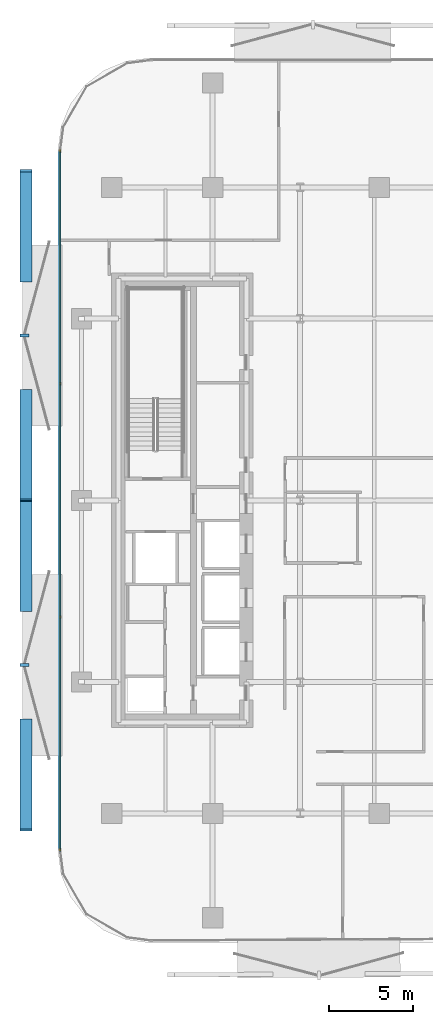
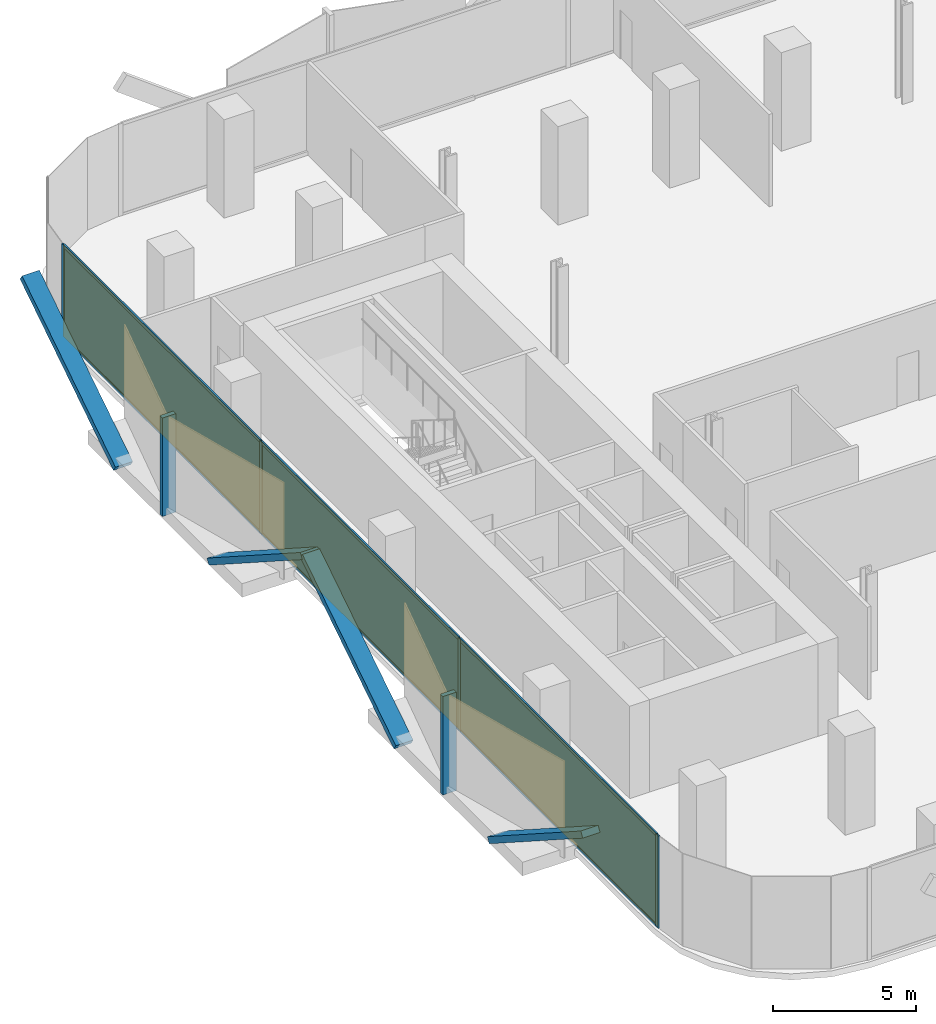
# One storey, part 8 of 15: 16 members, 3 plates, 1 curtain wall.
"""IFC4 building model written with IfcOpenShell, lengths in metres."""

import ifcopenshell
import ifcopenshell.guid

model = None  # the IFC model being written
_history = None  # IfcOwnerHistory: only IFC2X3 demands one
_inside = {}  # id of a spatial element -> (the spatial element, [elements in it])
_under = {}  # id of a project, library or spatial element -> (it, [spatial elements below it])
_declared = {}  # id of a project -> (the project, [libraries it declares])
_typed = {}  # id of a type object -> (the type object, [elements of that type])
_made_of = {}  # id of a material, layer set ... -> (it, [elements and type objects made of it])


def new_model(schema):
    """Start an empty IFC model of exactly this schema.

    Asked for "IFC4X3", IfcOpenShell would pick the latest addendum, in which some entities
    have other attributes; the version numbers below select the first issue.
    IFC2X3 requires an IfcOwnerHistory on every rooted entity: one is made here for all.
    """
    global model, _history
    if schema == "IFC4X3":
        model = ifcopenshell.file(schema_version=(4, 3, 0, 0))
    else:
        model = ifcopenshell.file(schema=schema)
    _inside.clear()
    _under.clear()
    _declared.clear()
    _typed.clear()
    _made_of.clear()
    _history = None
    if model.schema == "IFC2X3":
        org = make("IfcOrganization", Name="unknown")
        user = make(
            "IfcPersonAndOrganization",
            ThePerson=make("IfcPerson", FamilyName="unknown"),
            TheOrganization=org,
        )
        app = make(
            "IfcApplication",
            ApplicationDeveloper=org,
            Version="unknown",
            ApplicationFullName="unknown",
            ApplicationIdentifier="unknown",
        )
        _history = make(
            "IfcOwnerHistory",
            OwningUser=user,
            OwningApplication=app,
            ChangeAction="ADDED",
            CreationDate=0,
        )
    return model


def make(cls, **values):
    """One entity of the class cls with the attributes given. An attribute that is None is left unset."""
    return model.create_entity(
        cls, **{name: value for name, value in values.items() if value is not None}
    )


def rooted(cls, **values):
    """An entity with a GlobalId (a new one), such as an element, a storey or a relation."""
    return make(cls, GlobalId=ifcopenshell.guid.new(), OwnerHistory=_history, **values)


def si_unit(unit_type, name, prefix=None):
    """IfcSIUnit, for example si_unit("LENGTHUNIT", "METRE", prefix="MILLI")."""
    return make("IfcSIUnit", UnitType=unit_type, Prefix=prefix, Name=name)


def assignment(units):
    """IfcUnitAssignment: the units of a project."""
    return None if units is None else make("IfcUnitAssignment", Units=units)


def point(xyz):
    """IfcCartesianPoint."""
    return None if xyz is None else make("IfcCartesianPoint", Coordinates=xyz)


def direction(xyz):
    """IfcDirection."""
    return None if xyz is None else make("IfcDirection", DirectionRatios=xyz)


def frame(location, z_axis=None, x_axis=None):
    """IfcAxis2Placement3D, a coordinate frame: its origin and axes. An axis left out is left unset."""
    return make(
        "IfcAxis2Placement3D",
        Location=point(location),
        Axis=direction(z_axis),
        RefDirection=direction(x_axis),
    )


def frame_2d(location, x_axis=None):
    """IfcAxis2Placement2D, a coordinate frame in the plane: its origin and x axis."""
    return make(
        "IfcAxis2Placement2D", Location=point(location), RefDirection=direction(x_axis)
    )


def origin():
    """The frame at (0, 0, 0) with its axes left unset."""
    return frame((0.0, 0.0, 0.0))


def origin_2d():
    """The frame at (0, 0) in the plane with its x axis left unset."""
    return frame_2d((0.0, 0.0))


def place(relative_to, where):
    """IfcLocalPlacement: puts the frame where relative to a parent placement (None: the world)."""
    return make(
        "IfcLocalPlacement", PlacementRelTo=relative_to, RelativePlacement=where
    )


def context(
    kind, dimensions, precision=None, world=None, true_north=None, identifier=None
):
    """IfcGeometricRepresentationContext, for example the 3D "Model" context."""
    return make(
        "IfcGeometricRepresentationContext",
        ContextIdentifier=identifier,
        ContextType=kind,
        CoordinateSpaceDimension=dimensions,
        Precision=precision,
        WorldCoordinateSystem=world,
        TrueNorth=true_north,
    )


def subcontext(parent, identifier, kind, view, scale=None):
    """IfcGeometricRepresentationSubContext, for example "Body" below "Model"."""
    return make(
        "IfcGeometricRepresentationSubContext",
        ContextIdentifier=identifier,
        ContextType=kind,
        ParentContext=parent,
        TargetScale=scale,
        TargetView=view,
    )


def project(units=None, contexts=None):
    """IfcProject with its units and contexts."""
    return rooted(
        "IfcProject",
        Name="project",
        RepresentationContexts=contexts,
        UnitsInContext=assignment(units),
    )


def spatial(cls, under=None, at=None, **own):
    """A site, building, storey or space (cls), placed at a placement, below another one or the project."""
    s = rooted(cls, ObjectPlacement=at, **own)
    if under is not None:
        _under.setdefault(under.id(), (under, []))[1].append(s)
    return s


def profile(cls, at=None, kind="AREA", **sizes):
    """A parametric profile (cls). Its sizes go by their IFC names, for example OverallWidth=200.0."""
    return make(cls, ProfileType=kind, Position=at, **sizes)


def rectangle(**sizes):
    """IfcRectangleProfileDef."""
    return profile("IfcRectangleProfileDef", **sizes)


def extrude(swept, where, along, depth):
    """IfcExtrudedAreaSolid: the profile swept, set in the frame where, extruded along a direction by depth."""
    return make(
        "IfcExtrudedAreaSolid",
        SweptArea=swept,
        Position=where,
        ExtrudedDirection=direction(along),
        Depth=depth,
    )


def shape(context_of_items, identifier, shape_type, items):
    """IfcShapeRepresentation: the items that make up one representation, for example the "Body"."""
    return make(
        "IfcShapeRepresentation",
        ContextOfItems=context_of_items,
        RepresentationIdentifier=identifier,
        RepresentationType=shape_type,
        Items=items,
    )


def material(Name=None, Category=None):
    """IfcMaterial."""
    return make("IfcMaterial", Name=Name, Category=Category)


def layer(
    of_material, thickness, ventilated=None, Name=None, Category=None, Priority=None
):
    """IfcMaterialLayer: one layer of a wall or slab, of a material (None: an air gap)."""
    return make(
        "IfcMaterialLayer",
        Material=of_material,
        LayerThickness=thickness,
        IsVentilated=ventilated,
        Name=Name,
        Category=Category,
        Priority=Priority,
    )


def layer_set(layers, Name=None):
    """IfcMaterialLayerSet."""
    return make("IfcMaterialLayerSet", MaterialLayers=layers, LayerSetName=Name)


def material_profile(
    of_material, cross_section, Name=None, Category=None, Priority=None
):
    """IfcMaterialProfile: a cross section and its material."""
    return make(
        "IfcMaterialProfile",
        Name=Name,
        Material=of_material,
        Profile=cross_section,
        Priority=Priority,
        Category=Category,
    )


def profile_set(profiles, Name=None, composite=None):
    """IfcMaterialProfileSet."""
    return make(
        "IfcMaterialProfileSet",
        Name=Name,
        MaterialProfiles=profiles,
        CompositeProfile=composite,
    )


def made_of(thing, what):
    """Note that an element or type object is made of a material, layer set ...; save() writes the relation."""
    if what is not None:
        _made_of.setdefault(what.id(), (what, []))[1].append(thing)
    return thing


def type_object(cls, material=None, **own):
    """A type object (cls), such as IfcWallType, which elements share."""
    return made_of(rooted(cls, **own), material)


def element(
    cls,
    number,
    at=None,
    inside=None,
    cuts=None,
    type_object=None,
    material=None,
    context=None,
    identifier="Body",
    shape_type=None,
    held_by="IfcProductDefinitionShape",
    body=None,
    shapes=None,
    **own,
):
    """One element of the class cls, such as IfcWall. Its Tag is "e" and its number.

    at: its placement. inside: the storey or other place that contains it. cuts: it is an
    opening in that element (IfcRelVoidsElement). A single representation is given by context,
    identifier, shape_type and body (its items); several are given by shapes. held_by: the class
    of the entity that holds the representations. save() writes the other relations.
    """
    e = rooted(cls, Tag="e%d" % number, ObjectPlacement=at, **own)
    if body is not None:
        shapes = [shape(context, identifier, shape_type, body)]
    if shapes is not None:
        e.Representation = make(held_by, Representations=shapes)
    if inside is not None:
        _inside.setdefault(inside.id(), (inside, []))[1].append(e)
    if cuts is not None:
        rooted(
            "IfcRelVoidsElement", RelatingBuildingElement=cuts, RelatedOpeningElement=e
        )
    if type_object is not None:
        _typed.setdefault(type_object.id(), (type_object, []))[1].append(e)
    return made_of(e, material)


def aggregate(whole, parts):
    """IfcRelAggregates: a whole, such as a stair, and the parts it consists of."""
    return rooted("IfcRelAggregates", RelatingObject=whole, RelatedObjects=parts)


def save(model, path):
    """Write the relations noted so far, then the file.

    IfcRelAggregates (storeys below a building ...), IfcRelContainedInSpatialStructure (elements
    in a storey), IfcRelDefinesByType, IfcRelAssociatesMaterial and IfcRelDeclares: one each for
    every whole, place, type object, material and project.
    """
    for whole, parts in _under.values():
        aggregate(whole, parts)
    for where, things in _inside.values():
        rooted(
            "IfcRelContainedInSpatialStructure",
            RelatedElements=things,
            RelatingStructure=where,
        )
    for kind, things in _typed.values():
        rooted("IfcRelDefinesByType", RelatedObjects=things, RelatingType=kind)
    for what, things in _made_of.values():
        rooted("IfcRelAssociatesMaterial", RelatedObjects=things, RelatingMaterial=what)
    for by, libraries in _declared.values():
        rooted("IfcRelDeclares", RelatingContext=by, RelatedDefinitions=libraries)
    model.write(path)


model = new_model("IFC4")

# Units and contexts
model_context = context("Model", 3, precision=1e-05, world=origin(), true_north=direction((0.0, 1.0)))
body_context = subcontext(model_context, "Body", "Model", "MODEL_VIEW")
ifc_project = project(units=[si_unit("LENGTHUNIT", "METRE"), si_unit("AREAUNIT", "SQUARE_METRE"), si_unit("VOLUMEUNIT", "CUBIC_METRE"), si_unit("PLANEANGLEUNIT", "RADIAN"), si_unit("MASSUNIT", "GRAM", prefix="KILO")], contexts=[model_context])

# Member
ifc_material_1 = material(Name="Anodised Bronze Aluminium 6063-T6", Category="aluminium")
ifc_material_profile_1 = material_profile(ifc_material_1, rectangle(XDim=0.260009765625, YDim=0.699951171875, at=origin_2d()))
ifc_profile_set_1 = profile_set([ifc_material_profile_1], Name="Anodised Bronze Aluminium 6063-T6")
member_type_1 = type_object("IfcMemberType", Name="Bronze Diamond Solar-Screen Lattice Rib BDL-700", PredefinedType="MULLION", material=ifc_profile_set_1)
site_placement = place(None, origin())
building_placement = place(site_placement, origin())
storey_placement = place(building_placement, frame((0.0, 0.0, 126.800048828125)))
member_1_placement = place(storey_placement, frame((-25.5, -6.5302734375, -0.130126953125), z_axis=(0.0, 0.841051770023, 0.540954637785), x_axis=(0.0, -0.540954637785, 0.841051770023)))
member_1 = element("IfcMember", 1, at=member_1_placement, type_object=member_type_1, Name="L29 Bronze Diamond Solar Screen Lattice Rib 179A", PredefinedType="MULLION", context=body_context, shape_type="SweptSolid", body=[
    extrude(rectangle(XDim=0.260009765625, YDim=0.699951171875, at=origin_2d()), origin(), (0.0, 0.0, 1.0), 7.764404296875),
])

member_2_placement = place(storey_placement, frame((-25.5, -13.060546875, -0.130126953125), z_axis=(0.0, -0.841051770023, 0.540954637785), x_axis=(0.0, 0.540954637785, 0.841051770023)))
member_2 = element("IfcMember", 2, at=member_2_placement, type_object=member_type_1, Name="L29 Bronze Diamond Solar Screen Lattice Rib 179B", PredefinedType="MULLION", context=body_context, shape_type="SweptSolid", body=[
    extrude(rectangle(XDim=0.260009765625, YDim=0.699951171875, at=origin_2d()), origin(), (0.0, 0.0, 1.0), 7.764404296875),
])

member_3_placement = place(storey_placement, frame((-25.5, 13.060546875, -0.130126953125), z_axis=(0.0, 0.841051770023, 0.540954637785), x_axis=(0.0, -0.540954637785, 0.841051770023)))
member_3 = element("IfcMember", 3, at=member_3_placement, type_object=member_type_1, Name="L29 Bronze Diamond Solar Screen Lattice Rib 180A", PredefinedType="MULLION", context=body_context, shape_type="SweptSolid", body=[
    extrude(rectangle(XDim=0.260009765625, YDim=0.699951171875, at=origin_2d()), origin(), (0.0, 0.0, 1.0), 7.764404296875),
])

member_4_placement = place(storey_placement, frame((-25.5, 6.5302734375, -0.130126953125), z_axis=(0.0, -0.841051770023, 0.540954637785), x_axis=(0.0, 0.540954637785, 0.841051770023)))
member_4 = element("IfcMember", 4, at=member_4_placement, type_object=member_type_1, Name="L29 Bronze Diamond Solar Screen Lattice Rib 180B", PredefinedType="MULLION", context=body_context, shape_type="SweptSolid", body=[
    extrude(rectangle(XDim=0.260009765625, YDim=0.699951171875, at=origin_2d()), origin(), (0.0, 0.0, 1.0), 7.764404296875),
])

ifc_material_2 = material(Name="Anodised Bronze Aluminium 6063-T6", Category="aluminium")
ifc_material_profile_2 = material_profile(ifc_material_2, rectangle(XDim=0.179931640625, YDim=0.5400390625, at=origin_2d()))
ifc_profile_set_2 = profile_set([ifc_material_profile_2], Name="Anodised Bronze Aluminium 6063-T6")
member_type_2 = type_object("IfcMemberType", Name="Bronze Solar-Screen Vertical Fold Fin BSF-540", PredefinedType="MULLION", material=ifc_profile_set_2)
member_5_placement = place(storey_placement, frame((-25.580078125, -9.79541015625, -0.130126953125), z_axis=(0.0, 0.0, 1.0), x_axis=(0.0, 1.0, 0.0)))
member_5 = element("IfcMember", 5, at=member_5_placement, type_object=member_type_2, Name="L29 Bronze Solar Screen Vertical Fin 179", PredefinedType="MULLION", context=body_context, shape_type="SweptSolid", body=[
    extrude(rectangle(XDim=0.179931640625, YDim=0.5400390625, at=origin_2d()), origin(), (0.0, 0.0, 1.0), 4.2001953125),
])

member_6_placement = place(storey_placement, frame((-25.580078125, 9.79541015625, -0.130126953125), z_axis=(0.0, 0.0, 1.0), x_axis=(0.0, 1.0, 0.0)))
member_6 = element("IfcMember", 6, at=member_6_placement, type_object=member_type_2, Name="L29 Bronze Solar Screen Vertical Fin 180", PredefinedType="MULLION", context=body_context, shape_type="SweptSolid", body=[
    extrude(rectangle(XDim=0.179931640625, YDim=0.5400390625, at=origin_2d()), origin(), (0.0, 0.0, 1.0), 4.2001953125),
])

ifc_material_3 = material(Name="Anodised Bronze Aluminium 6063-T6", Category="aluminium")
ifc_material_profile_3 = material_profile(ifc_material_3, rectangle(XDim=0.06494140625, YDim=0.175048828125, at=origin_2d()))
ifc_profile_set_3 = profile_set([ifc_material_profile_3], Name="Anodised Bronze Aluminium 6063-T6")
member_type_3 = type_object("IfcMemberType", Name="CW-Z2 Mullion 65x175", PredefinedType="MULLION", material=ifc_profile_set_3)
member_7_placement = place(storey_placement, frame((-23.4599609375, -20.75830078125, 0.0), z_axis=(0.0, 0.0, 1.0), x_axis=(-1.0, 0.0, 0.0)))
member_7 = element("IfcMember", 7, at=member_7_placement, type_object=member_type_3, Name="CW-Z2 mullion 1", PredefinedType="MULLION", context=body_context, shape_type="SweptSolid", body=[
    extrude(rectangle(XDim=0.06494140625, YDim=0.175048828125, at=origin_2d()), origin(), (0.0, 0.0, 1.0), 3.93994140625),
])

member_8_placement = place(storey_placement, frame((-23.4599609375, -6.93017578125, 0.0), z_axis=(0.0, 0.0, 1.0), x_axis=(-1.0, 0.0, 0.0)))
member_8 = element("IfcMember", 8, at=member_8_placement, type_object=member_type_3, Name="CW-Z2 mullion 2", PredefinedType="MULLION", context=body_context, shape_type="SweptSolid", body=[
    extrude(rectangle(XDim=0.06494140625, YDim=0.175048828125, at=origin_2d()), origin(), (0.0, 0.0, 1.0), 3.93994140625),
])

member_9_placement = place(storey_placement, frame((-23.4599609375, 6.93017578125, 0.0), z_axis=(0.0, 0.0, 1.0), x_axis=(-1.0, 0.0, 0.0)))
member_9 = element("IfcMember", 9, at=member_9_placement, type_object=member_type_3, Name="CW-Z2 mullion 3", PredefinedType="MULLION", context=body_context, shape_type="SweptSolid", body=[
    extrude(rectangle(XDim=0.06494140625, YDim=0.175048828125, at=origin_2d()), origin(), (0.0, 0.0, 1.0), 3.93994140625),
])

member_10_placement = place(storey_placement, frame((-23.4599609375, 20.75830078125, 0.0), z_axis=(0.0, 0.0, 1.0), x_axis=(-1.0, 0.0, 0.0)))
member_10 = element("IfcMember", 10, at=member_10_placement, type_object=member_type_3, Name="CW-Z2 mullion 4", PredefinedType="MULLION", context=body_context, shape_type="SweptSolid", body=[
    extrude(rectangle(XDim=0.06494140625, YDim=0.175048828125, at=origin_2d()), origin(), (0.0, 0.0, 1.0), 3.93994140625),
])

ifc_material_4 = material(Name="Anodised Bronze Aluminium 6063-T6", Category="aluminium")
ifc_material_profile_4 = material_profile(ifc_material_4, rectangle(XDim=0.06494140625, YDim=0.135009765625, at=origin_2d()))
ifc_profile_set_4 = profile_set([ifc_material_profile_4], Name="Anodised Bronze Aluminium 6063-T6")
member_type_4 = type_object("IfcMemberType", Name="CW-Z2 Transom 65x135", PredefinedType="USERDEFINED", material=ifc_profile_set_4)
member_11_placement = place(storey_placement, frame((-23.4599609375, -20.725830078125, 0.032470703125), z_axis=(0.0, 1.0, 0.0), x_axis=(-1.0, 0.0, 0.0)))
member_11 = element("IfcMember", 11, at=member_11_placement, type_object=member_type_4, Name="CW-Z2 transom 1.1", ObjectType="TRANSOM", PredefinedType="USERDEFINED", context=body_context, shape_type="SweptSolid", body=[
    extrude(rectangle(XDim=0.06494140625, YDim=0.135009765625, at=origin_2d()), origin(), (0.0, 0.0, 1.0), 13.76318359375),
])

member_12_placement = place(storey_placement, frame((-23.4599609375, -20.725830078125, 3.907470703125), z_axis=(0.0, 1.0, 0.0), x_axis=(-1.0, 0.0, 0.0)))
member_12 = element("IfcMember", 12, at=member_12_placement, type_object=member_type_4, Name="CW-Z2 transom 1.2", ObjectType="TRANSOM", PredefinedType="USERDEFINED", context=body_context, shape_type="SweptSolid", body=[
    extrude(rectangle(XDim=0.06494140625, YDim=0.135009765625, at=origin_2d()), origin(), (0.0, 0.0, 1.0), 13.76318359375),
])

member_13_placement = place(storey_placement, frame((-23.4599609375, -6.897705078125, 0.032470703125), z_axis=(0.0, 1.0, 0.0), x_axis=(-1.0, 0.0, 0.0)))
member_13 = element("IfcMember", 13, at=member_13_placement, type_object=member_type_4, Name="CW-Z2 transom 2.1", ObjectType="TRANSOM", PredefinedType="USERDEFINED", context=body_context, shape_type="SweptSolid", body=[
    extrude(rectangle(XDim=0.06494140625, YDim=0.135009765625, at=origin_2d()), origin(), (0.0, 0.0, 1.0), 13.79541015625),
])

member_14_placement = place(storey_placement, frame((-23.4599609375, -6.897705078125, 3.907470703125), z_axis=(0.0, 1.0, 0.0), x_axis=(-1.0, 0.0, 0.0)))
member_14 = element("IfcMember", 14, at=member_14_placement, type_object=member_type_4, Name="CW-Z2 transom 2.2", ObjectType="TRANSOM", PredefinedType="USERDEFINED", context=body_context, shape_type="SweptSolid", body=[
    extrude(rectangle(XDim=0.06494140625, YDim=0.135009765625, at=origin_2d()), origin(), (0.0, 0.0, 1.0), 13.79541015625),
])

member_15_placement = place(storey_placement, frame((-23.4599609375, 6.962646484375, 0.032470703125), z_axis=(0.0, 1.0, 0.0), x_axis=(-1.0, 0.0, 0.0)))
member_15 = element("IfcMember", 15, at=member_15_placement, type_object=member_type_4, Name="CW-Z2 transom 3.1", ObjectType="TRANSOM", PredefinedType="USERDEFINED", context=body_context, shape_type="SweptSolid", body=[
    extrude(rectangle(XDim=0.06494140625, YDim=0.135009765625, at=origin_2d()), origin(), (0.0, 0.0, 1.0), 13.76318359375),
])

member_16_placement = place(storey_placement, frame((-23.4599609375, 6.962646484375, 3.907470703125), z_axis=(0.0, 1.0, 0.0), x_axis=(-1.0, 0.0, 0.0)))
member_16 = element("IfcMember", 16, at=member_16_placement, type_object=member_type_4, Name="CW-Z2 transom 3.2", ObjectType="TRANSOM", PredefinedType="USERDEFINED", context=body_context, shape_type="SweptSolid", body=[
    extrude(rectangle(XDim=0.06494140625, YDim=0.135009765625, at=origin_2d()), origin(), (0.0, 0.0, 1.0), 13.76318359375),
])

# Plate
ifc_material_5 = material(Name="Low-E Solar Control Laminated Glass", Category="glass")
ifc_layer_1 = layer(ifc_material_5, 0.028076171875, Name="Low-E Solar Control Laminated Glass")
ifc_layer_set_1 = layer_set([ifc_layer_1], Name="Low-E Solar Control Laminated Glass")
plate_type = type_object("IfcPlateType", Name="CW-Z2 Low-E Double Glazed Panel 28mm", PredefinedType="CURTAIN_PANEL", material=ifc_layer_set_1)
plate_1_placement = place(storey_placement, frame((-23.4599609375, -13.84423828125, 0.06494140625), z_axis=(0.0, 0.0, 1.0), x_axis=(0.0, 1.0, 0.0)))
plate_1 = element("IfcPlate", 17, at=plate_1_placement, type_object=plate_type, Name="CW-Z2 panel 1.1", PredefinedType="CURTAIN_PANEL", context=body_context, shape_type="SweptSolid", body=[
    extrude(rectangle(XDim=13.762939453125, YDim=0.028076171875, at=origin_2d()), origin(), (0.0, 0.0, 1.0), 3.81005859375),
])

plate_2_placement = place(storey_placement, frame((-23.4599609375, 0.0, 0.06494140625), z_axis=(0.0, 0.0, 1.0), x_axis=(0.0, 1.0, 0.0)))
plate_2 = element("IfcPlate", 18, at=plate_2_placement, type_object=plate_type, Name="CW-Z2 panel 2.1", PredefinedType="CURTAIN_PANEL", context=body_context, shape_type="SweptSolid", body=[
    extrude(rectangle(XDim=13.795654296875, YDim=0.028076171875, at=origin_2d()), origin(), (0.0, 0.0, 1.0), 3.81005859375),
])

plate_3_placement = place(storey_placement, frame((-23.4599609375, 13.84423828125, 0.06494140625), z_axis=(0.0, 0.0, 1.0), x_axis=(0.0, 1.0, 0.0)))
plate_3 = element("IfcPlate", 19, at=plate_3_placement, type_object=plate_type, Name="CW-Z2 panel 3.1", PredefinedType="CURTAIN_PANEL", context=body_context, shape_type="SweptSolid", body=[
    extrude(rectangle(XDim=13.762939453125, YDim=0.028076171875, at=origin_2d()), origin(), (0.0, 0.0, 1.0), 3.81005859375),
])

# Site, building, storey
site = spatial("IfcSite", under=ifc_project, at=site_placement, CompositionType="ELEMENT")
building = spatial("IfcBuilding", under=site, at=building_placement, Name="Khairoan Windgate Tower", CompositionType="ELEMENT")
storey = spatial("IfcBuildingStorey", under=building, at=storey_placement, Name="L29", CompositionType="ELEMENT", Elevation=126.800048828125)

# Curtain wall
ifc_material_6 = material(Name="Anodised Bronze Aluminium 6063-T6", Category="aluminium")
ifc_layer_2 = layer(ifc_material_6, 0.175048828125, Name="Anodised Bronze Aluminium 6063-T6")
ifc_layer_set_2 = layer_set([ifc_layer_2], Name="Anodised Bronze Aluminium 6063-T6")
curtain_wall_type = type_object("IfcCurtainWallType", Name="Mid-Rise Office Unitised Curtain Wall CW-Z2", PredefinedType="NOTDEFINED", material=ifc_layer_set_2)
curtain_wall_placement = place(storey_placement, frame((-23.4599609375, -20.790771484375, 0.0), z_axis=(0.0, 0.0, 1.0), x_axis=(0.0, 1.0, 0.0)))
curtain_wall = element("IfcCurtainWall", 20, at=curtain_wall_placement, inside=storey, type_object=curtain_wall_type, Name="L29 Unitised Curtain Wall 6", PredefinedType="NOTDEFINED", context=body_context, shape_type="SweptSolid", body=[
    extrude(rectangle(XDim=41.58154296875, YDim=0.010009765625, at=frame_2d((20.790771484375, 0.0))), origin(), (0.0, 0.0, 1.0), 3.93994140625),
])

aggregate(curtain_wall, [member_7, member_8, member_9, member_10, member_11, member_12, plate_1, member_13, member_14, plate_2, member_15, member_16, plate_3, member_1, member_2, member_5, member_3, member_4, member_6])

save(model, "model.ifc")
